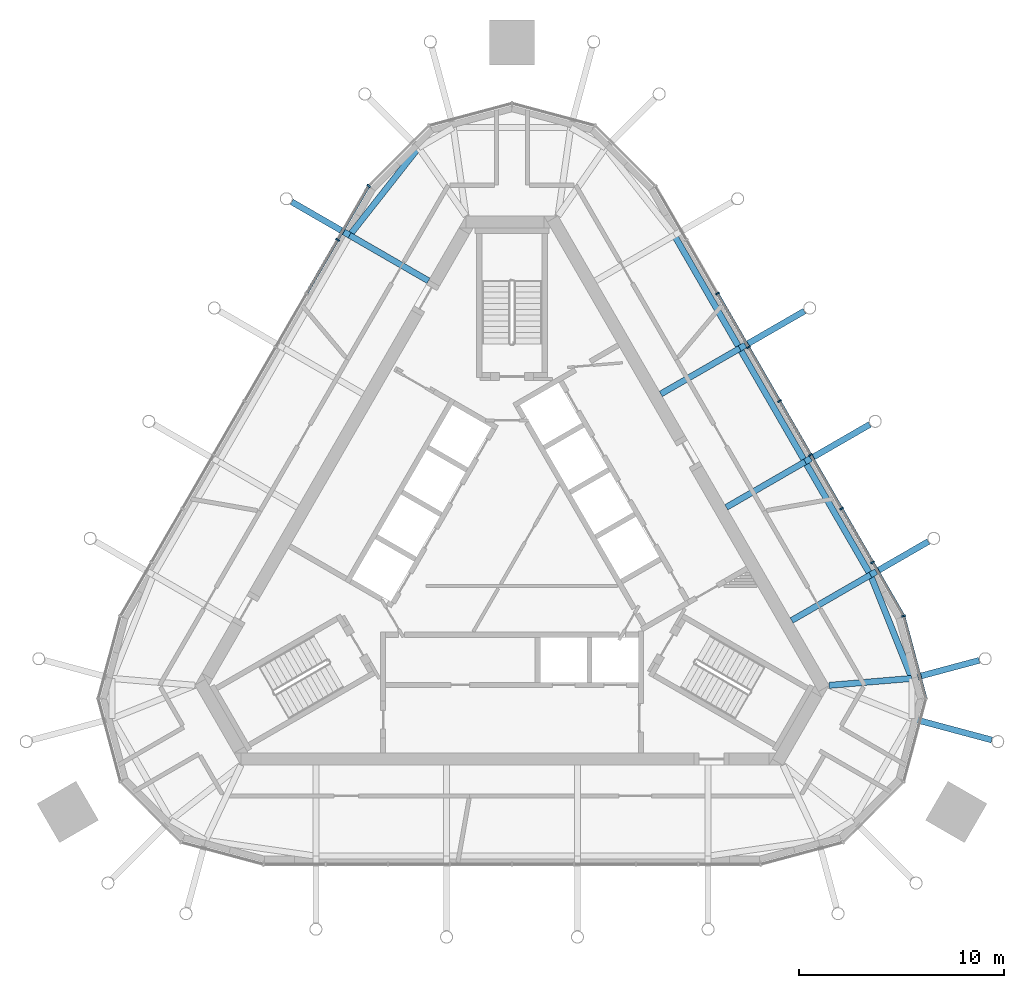
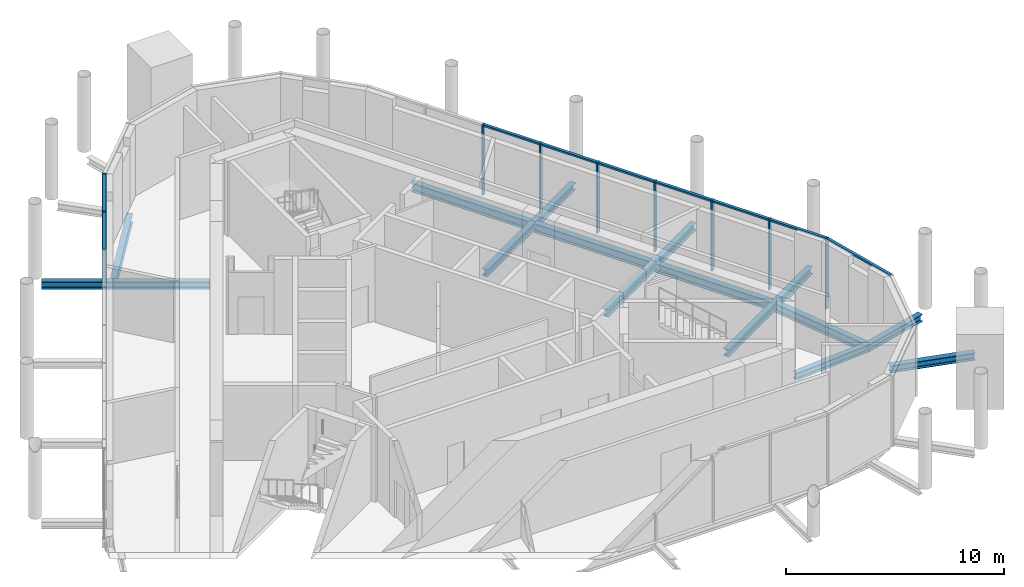
# One storey, part 4 of 11: 18 members, 16 beams, 4 elements without a shape of their own.
"""IFC4 building model written with IfcOpenShell, lengths in metres."""

from ifc_helpers import new_model, si_unit, direction, frame, origin, origin_2d, place, context, subcontext, project, spatial, rectangle, i_section, extrude, material, material_profile, profile_set, type_object, element, aggregate, save


model = new_model("IFC4")

# Units and contexts
model_context = context("Model", 3, precision=1e-05, world=origin(), true_north=direction((0.0, 1.0)))
body_context = subcontext(model_context, "Body", "Model", "MODEL_VIEW")
ifc_project = project(units=[si_unit("LENGTHUNIT", "METRE"), si_unit("AREAUNIT", "SQUARE_METRE"), si_unit("VOLUMEUNIT", "CUBIC_METRE"), si_unit("PLANEANGLEUNIT", "RADIAN"), si_unit("MASSUNIT", "GRAM", prefix="KILO")], contexts=[model_context])

# Site, building, storey
site_placement = place(None, origin())
site = spatial("IfcSite", under=ifc_project, at=site_placement, CompositionType="ELEMENT")
building_placement = place(site_placement, origin())
building = spatial("IfcBuilding", under=site, at=building_placement, Name="Mestral Congress Tower", CompositionType="ELEMENT")
storey_placement = place(building_placement, frame((0.0, 0.0, 331.800048828125)))
storey = spatial("IfcBuildingStorey", under=building, at=storey_placement, Name="L77", CompositionType="ELEMENT", Elevation=331.800048828125)

# Curtain wall, member
ifc_material_1 = material(Name="Glazed ceramic", Category="masonry")
curtain_wall_type = type_object("IfcCurtainWallType", Name="Facade plant louvre screen", PredefinedType="USERDEFINED", material=ifc_material_1)
placement = place(storey_placement, origin())
curtain_wall_1 = element("IfcCurtainWall", 1, at=placement, inside=storey, type_object=curtain_wall_type, Name="Plant louvre screen corner 1", ObjectType="CURTAIN WALL", PredefinedType="USERDEFINED")
ifc_material_2 = material(Name="Anodised aluminium", Category="aluminium")
ifc_material_profile_1 = material_profile(ifc_material_2, rectangle(XDim=0.199951171875, YDim=0.080078125, at=origin_2d()), Name="CW6 mullion 200 x 80")
ifc_profile_set_1 = profile_set([ifc_material_profile_1], Name="Anodised aluminium")
member_type_1 = type_object("IfcMemberType", Name="Facade plant louvre screen mullion", PredefinedType="MULLION", material=ifc_profile_set_1)
member_1_placement = place(storey_placement, frame((19.145751953125, -2.96142578125, 0.0), z_axis=(0.0, 0.0, 1.0), x_axis=(0.965925826289, 0.258819045103, 0.0)))
member_1 = element("IfcMember", 2, at=member_1_placement, type_object=member_type_1, Name="Facade plant louvre screen mullion", PredefinedType="MULLION", context=body_context, shape_type="SweptSolid", body=[
    extrude(rectangle(XDim=0.199951171875, YDim=0.080078125, at=origin_2d()), origin(), (0.0, 0.0, 1.0), 3.949951171875),
])

# Curtain wall, members
curtain_wall_2 = element("IfcCurtainWall", 3, at=placement, inside=storey, type_object=curtain_wall_type, Name="Plant louvre screen side 2", ObjectType="CURTAIN WALL", PredefinedType="USERDEFINED")
member_2_placement = place(storey_placement, frame((17.628662109375, -0.33349609375, 0.0), z_axis=(0.0, 0.0, 1.0), x_axis=(0.866024531118, 0.500001511499, 0.0)))
member_2 = element("IfcMember", 4, at=member_2_placement, type_object=member_type_1, Name="Facade plant louvre screen mullion", PredefinedType="MULLION", context=body_context, shape_type="SweptSolid", body=[
    extrude(rectangle(XDim=0.199951171875, YDim=0.080078125, at=origin_2d()), origin(), (0.0, 0.0, 1.0), 3.949951171875),
])
member_3_placement = place(storey_placement, frame((16.111328125, 2.294189453125, 0.0), z_axis=(0.0, 0.0, 1.0), x_axis=(0.866024531118, 0.500001511499, 0.0)))
member_3 = element("IfcMember", 5, at=member_3_placement, type_object=member_type_1, Name="Facade plant louvre screen mullion", PredefinedType="MULLION", context=body_context, shape_type="SweptSolid", body=[
    extrude(rectangle(XDim=0.199951171875, YDim=0.080078125, at=origin_2d()), origin(), (0.0, 0.0, 1.0), 3.949951171875),
])
member_4_placement = place(storey_placement, frame((14.59423828125, 4.922119140625, 0.0), z_axis=(0.0, 0.0, 1.0), x_axis=(0.866024531118, 0.500001511499, 0.0)))
member_4 = element("IfcMember", 6, at=member_4_placement, type_object=member_type_1, Name="Facade plant louvre screen mullion", PredefinedType="MULLION", context=body_context, shape_type="SweptSolid", body=[
    extrude(rectangle(XDim=0.199951171875, YDim=0.080078125, at=origin_2d()), origin(), (0.0, 0.0, 1.0), 3.949951171875),
])
member_5_placement = place(storey_placement, frame((13.076904296875, 7.550048828125, 0.0), z_axis=(0.0, 0.0, 1.0), x_axis=(0.866024531118, 0.500001511499, 0.0)))
member_5 = element("IfcMember", 7, at=member_5_placement, type_object=member_type_1, Name="Facade plant louvre screen mullion", PredefinedType="MULLION", context=body_context, shape_type="SweptSolid", body=[
    extrude(rectangle(XDim=0.199951171875, YDim=0.080078125, at=origin_2d()), origin(), (0.0, 0.0, 1.0), 3.949951171875),
])
member_6_placement = place(storey_placement, frame((11.559814453125, 10.177978515625, 0.0), z_axis=(0.0, 0.0, 1.0), x_axis=(0.866024531118, 0.500001511499, 0.0)))
member_6 = element("IfcMember", 8, at=member_6_placement, type_object=member_type_1, Name="Facade plant louvre screen mullion", PredefinedType="MULLION", context=body_context, shape_type="SweptSolid", body=[
    extrude(rectangle(XDim=0.199951171875, YDim=0.080078125, at=origin_2d()), origin(), (0.0, 0.0, 1.0), 3.949951171875),
])
member_7_placement = place(storey_placement, frame((10.04248046875, 12.8056640625, 0.0), z_axis=(0.0, 0.0, 1.0), x_axis=(0.866024531118, 0.500001511499, 0.0)))
member_7 = element("IfcMember", 9, at=member_7_placement, type_object=member_type_1, Name="Facade plant louvre screen mullion", PredefinedType="MULLION", context=body_context, shape_type="SweptSolid", body=[
    extrude(rectangle(XDim=0.199951171875, YDim=0.080078125, at=origin_2d()), origin(), (0.0, 0.0, 1.0), 3.949951171875),
])

# Curtain wall, member
curtain_wall_3 = element("IfcCurtainWall", 10, at=placement, inside=storey, type_object=curtain_wall_type, Name="Plant louvre screen corner 3", ObjectType="CURTAIN WALL", PredefinedType="USERDEFINED")
member_8_placement = place(storey_placement, frame((-7.00830078125, 18.061279296875, 0.0), z_axis=(0.0, 0.0, 1.0), x_axis=(-0.707106781187, 0.707106781187, 0.0)))
member_8 = element("IfcMember", 11, at=member_8_placement, type_object=member_type_1, Name="Facade plant louvre screen mullion", PredefinedType="MULLION", context=body_context, shape_type="SweptSolid", body=[
    extrude(rectangle(XDim=0.199951171875, YDim=0.080078125, at=origin_2d()), origin(), (0.0, 0.0, 1.0), 3.949951171875),
])
aggregate(curtain_wall_3, [member_8])

curtain_wall_4 = element("IfcCurtainWall", 12, at=placement, inside=storey, type_object=curtain_wall_type, Name="Plant louvre screen side 4", ObjectType="CURTAIN WALL", PredefinedType="USERDEFINED")
member_9_placement = place(storey_placement, frame((-8.525390625, 15.43359375, 0.0), z_axis=(0.0, 0.0, 1.0), x_axis=(-0.866024531118, 0.500001511499, 0.0)))
member_9 = element("IfcMember", 13, at=member_9_placement, type_object=member_type_1, Name="Facade plant louvre screen mullion", PredefinedType="MULLION", context=body_context, shape_type="SweptSolid", body=[
    extrude(rectangle(XDim=0.199951171875, YDim=0.080078125, at=origin_2d()), origin(), (0.0, 0.0, 1.0), 3.949951171875),
])

# Member
ifc_material_profile_2 = material_profile(ifc_material_2, rectangle(XDim=0.14990234375, YDim=0.10009765625, at=origin_2d()), Name="CW6 transom 150 x 100")
ifc_profile_set_2 = profile_set([ifc_material_profile_2], Name="Anodised aluminium")
member_type_2 = type_object("IfcMemberType", Name="Facade plant louvre screen transom", PredefinedType="USERDEFINED", material=ifc_profile_set_2)
member_10_placement = place(storey_placement, frame((20.217529296875, -6.96142578125, 3.89990234375), z_axis=(-0.258833286133, 0.965922010304, 0.0), x_axis=(-0.965922010304, -0.258833286133, 0.0)))
member_10 = element("IfcMember", 14, at=member_10_placement, type_object=member_type_2, Name="Facade plant louvre screen transom", ObjectType="TRANSOM", PredefinedType="USERDEFINED", context=body_context, shape_type="SweptSolid", body=[
    extrude(rectangle(XDim=0.14990234375, YDim=0.10009765625, at=origin_2d()), origin(), (0.0, 0.0, 1.0), 4.10107421875),
])

aggregate(curtain_wall_1, [member_1, member_10])

member_11_placement = place(storey_placement, frame((19.125732421875, -2.9267578125, 3.89990234375), z_axis=(-0.499960902066, 0.86604797581, 0.0), x_axis=(-0.86604797581, -0.499960902066, 0.0)))
member_11 = element("IfcMember", 15, at=member_11_placement, type_object=member_type_2, Name="Facade plant louvre screen transom", ObjectType="TRANSOM", PredefinedType="USERDEFINED", context=body_context, shape_type="SweptSolid", body=[
    extrude(rectangle(XDim=0.14990234375, YDim=0.10009765625, at=origin_2d()), origin(), (0.0, 0.0, 1.0), 2.954345703125),
])

member_12_placement = place(storey_placement, frame((17.608642578125, -0.298828125, 3.89990234375), z_axis=(-0.50002288008, 0.866012193561, 0.0), x_axis=(-0.866012193561, -0.50002288008, 0.0)))
member_12 = element("IfcMember", 16, at=member_12_placement, type_object=member_type_2, Name="Facade plant louvre screen transom", ObjectType="TRANSOM", PredefinedType="USERDEFINED", context=body_context, shape_type="SweptSolid", body=[
    extrude(rectangle(XDim=0.14990234375, YDim=0.10009765625, at=origin_2d()), origin(), (0.0, 0.0, 1.0), 2.954345703125),
])

member_13_placement = place(storey_placement, frame((16.09130859375, 2.328857421875, 3.89990234375), z_axis=(-0.499960902066, 0.86604797581, 0.0), x_axis=(-0.86604797581, -0.499960902066, 0.0)))
member_13 = element("IfcMember", 17, at=member_13_placement, type_object=member_type_2, Name="Facade plant louvre screen transom", ObjectType="TRANSOM", PredefinedType="USERDEFINED", context=body_context, shape_type="SweptSolid", body=[
    extrude(rectangle(XDim=0.14990234375, YDim=0.10009765625, at=origin_2d()), origin(), (0.0, 0.0, 1.0), 2.954345703125),
])

member_14_placement = place(storey_placement, frame((14.57421875, 4.956787109375, 3.89990234375), z_axis=(-0.50002288008, 0.866012193561, 0.0), x_axis=(-0.866012193561, -0.50002288008, 0.0)))
member_14 = element("IfcMember", 18, at=member_14_placement, type_object=member_type_2, Name="Facade plant louvre screen transom", ObjectType="TRANSOM", PredefinedType="USERDEFINED", context=body_context, shape_type="SweptSolid", body=[
    extrude(rectangle(XDim=0.14990234375, YDim=0.10009765625, at=origin_2d()), origin(), (0.0, 0.0, 1.0), 2.954345703125),
])

member_15_placement = place(storey_placement, frame((13.056884765625, 7.584716796875, 3.89990234375), z_axis=(-0.499960902066, 0.86604797581, 0.0), x_axis=(-0.86604797581, -0.499960902066, 0.0)))
member_15 = element("IfcMember", 19, at=member_15_placement, type_object=member_type_2, Name="Facade plant louvre screen transom", ObjectType="TRANSOM", PredefinedType="USERDEFINED", context=body_context, shape_type="SweptSolid", body=[
    extrude(rectangle(XDim=0.14990234375, YDim=0.10009765625, at=origin_2d()), origin(), (0.0, 0.0, 1.0), 2.954345703125),
])

member_16_placement = place(storey_placement, frame((11.539794921875, 10.21240234375, 3.89990234375), z_axis=(-0.50002288008, 0.866012193561, 0.0), x_axis=(-0.866012193561, -0.50002288008, 0.0)))
member_16 = element("IfcMember", 20, at=member_16_placement, type_object=member_type_2, Name="Facade plant louvre screen transom", ObjectType="TRANSOM", PredefinedType="USERDEFINED", context=body_context, shape_type="SweptSolid", body=[
    extrude(rectangle(XDim=0.14990234375, YDim=0.10009765625, at=origin_2d()), origin(), (0.0, 0.0, 1.0), 2.954345703125),
])

aggregate(curtain_wall_2, [member_2, member_3, member_4, member_5, member_6, member_7, member_11, member_12, member_13, member_14, member_15, member_16])

member_17_placement = place(storey_placement, frame((-7.0283203125, 18.02685546875, 3.89990234375), z_axis=(-0.499960902066, -0.86604797581, 0.0), x_axis=(0.86604797581, -0.499960902066, 0.0)))
member_17 = element("IfcMember", 21, at=member_17_placement, type_object=member_type_2, Name="Facade plant louvre screen transom", ObjectType="TRANSOM", PredefinedType="USERDEFINED", context=body_context, shape_type="SweptSolid", body=[
    extrude(rectangle(XDim=0.14990234375, YDim=0.10009765625, at=origin_2d()), origin(), (0.0, 0.0, 1.0), 2.954345703125),
])

member_18_placement = place(storey_placement, frame((-8.54541015625, 15.39892578125, 3.89990234375), z_axis=(-0.50002288008, -0.866012193561, 0.0), x_axis=(0.866012193561, -0.50002288008, 0.0)))
member_18 = element("IfcMember", 22, at=member_18_placement, type_object=member_type_2, Name="Facade plant louvre screen transom", ObjectType="TRANSOM", PredefinedType="USERDEFINED", context=body_context, shape_type="SweptSolid", body=[
    extrude(rectangle(XDim=0.14990234375, YDim=0.10009765625, at=origin_2d()), origin(), (0.0, 0.0, 1.0), 2.954345703125),
])

aggregate(curtain_wall_4, [member_9, member_17, member_18])

# Beams
ifc_material_3 = material(Name="Steel S355", Category="steel")
ifc_material_profile_3 = material_profile(ifc_material_3, i_section(OverallWidth=0.300048828125, OverallDepth=0.39990234375, WebThickness=0.013427734375, FlangeThickness=0.02392578125, FilletRadius=0.027099609375, at=origin_2d()), Name="HEB 400")
ifc_profile_set_3 = profile_set([ifc_material_profile_3], Name="Steel S355")
beam_type_1 = type_object("IfcBeamType", Name="Floor beam HEB 400 S355", PredefinedType="BEAM", material=ifc_profile_set_3)
for number, where, z_axis, x_axis, name in (
    (23, (-4.083251953125, 13.427734375, -0.449951171875), (-0.866036664382, 0.499980495566, 0.0), (-0.499980495566, -0.866036664382, 0.0), "BM-L77-KR11"),
    (24, (7.277099609375, 7.89599609375, -0.449951171875), (0.866036664382, 0.499980495566, 0.0), (-0.499980495566, 0.866036664382, 0.0), "BM-L77-KR17"),
    (25, (10.4765625, 2.35400390625, -0.449951171875), (0.866012907634, 0.500021643343, 0.0), (-0.500021643343, 0.866012907634, 0.0), "BM-L77-KR18"),
    (26, (13.67041015625, -3.177734375, -0.449951171875), (0.866012907634, 0.500021643343, 0.0), (-0.500021643343, 0.866012907634, 0.0), "BM-L77-KR19"),
):
    element("IfcBeam", number, at=place(storey_placement, frame(where, z_axis=z_axis, x_axis=x_axis)), inside=storey, type_object=beam_type_1, Name=name, PredefinedType="BEAM", context=body_context, shape_type="SweptSolid", body=[
        extrude(i_section(OverallWidth=0.300048828125, OverallDepth=0.39990234375, WebThickness=0.013427734375, FlangeThickness=0.02392578125, FilletRadius=0.027099609375, at=origin_2d()), origin(), (0.0, 0.0, 1.0), 4.449951171875),
    ])
beam_1_placement = place(storey_placement, frame((15.501953125, -6.35009765625, -0.449951171875), z_axis=(0.996497077205, 0.083627597852, 0.0), x_axis=(-0.083627597852, 0.996497077205, 0.0)))
element("IfcBeam", 27, at=beam_1_placement, inside=storey, type_object=beam_type_1, Name="BM-L77-KR20", PredefinedType="BEAM", context=body_context, shape_type="SweptSolid", body=[
    extrude(i_section(OverallWidth=0.300048828125, OverallDepth=0.39990234375, WebThickness=0.013427734375, FlangeThickness=0.02392578125, FilletRadius=0.027099609375, at=origin_2d()), origin(), (0.0, 0.0, 1.0), 4.060791015625),
])
beam_2_placement = place(storey_placement, frame((-10.767822265625, 17.287109375, -0.449951171875), z_axis=(0.866005234444, -0.500034932695, 0.0), x_axis=(0.500034932695, 0.866005234444, 0.0)))
element("IfcBeam", 28, at=beam_2_placement, inside=storey, type_object=beam_type_1, Name="BM-L77-KT-C5-W01", PredefinedType="BEAM", context=body_context, shape_type="SweptSolid", body=[
    extrude(i_section(OverallWidth=0.300048828125, OverallDepth=0.39990234375, WebThickness=0.013427734375, FlangeThickness=0.02392578125, FilletRadius=0.027099609375, at=origin_2d()), origin(), (0.0, 0.0, 1.0), 3.268798828125),
])
beam_3_placement = place(storey_placement, frame((14.2919921875, 11.946044921875, -0.449951171875), z_axis=(-0.866011828767, -0.500023511883, 0.0), x_axis=(0.500023511883, -0.866011828767, 0.0)))
element("IfcBeam", 29, at=beam_3_placement, inside=storey, type_object=beam_type_1, Name="BM-L77-KT-C5-E03", PredefinedType="BEAM", context=body_context, shape_type="SweptSolid", body=[
    extrude(i_section(OverallWidth=0.300048828125, OverallDepth=0.39990234375, WebThickness=0.013427734375, FlangeThickness=0.02392578125, FilletRadius=0.027099609375, at=origin_2d()), origin(), (0.0, 0.0, 1.0), 3.650146484375),
])
beam_4_placement = place(storey_placement, frame((17.49169921875, 6.404296875, -0.449951171875), z_axis=(-0.866028549844, -0.499994550825, 0.0), x_axis=(0.499994550825, -0.866028549844, 0.0)))
element("IfcBeam", 30, at=beam_4_placement, inside=storey, type_object=beam_type_1, Name="BM-L77-KT-C5-E02", PredefinedType="BEAM", context=body_context, shape_type="SweptSolid", body=[
    extrude(i_section(OverallWidth=0.300048828125, OverallDepth=0.39990234375, WebThickness=0.013427734375, FlangeThickness=0.02392578125, FilletRadius=0.027099609375, at=origin_2d()), origin(), (0.0, 0.0, 1.0), 3.650390625),
])
beam_5_placement = place(storey_placement, frame((20.35498046875, 0.681640625, -0.449951171875), z_axis=(-0.86603757612, -0.499978916304, 0.0), x_axis=(0.499978916304, -0.86603757612, 0.0)))
element("IfcBeam", 31, at=beam_5_placement, inside=storey, type_object=beam_type_1, Name="BM-L77-KT-C5-E01", PredefinedType="BEAM", context=body_context, shape_type="SweptSolid", body=[
    extrude(i_section(OverallWidth=0.300048828125, OverallDepth=0.39990234375, WebThickness=0.013427734375, FlangeThickness=0.02392578125, FilletRadius=0.027099609375, at=origin_2d()), origin(), (0.0, 0.0, 1.0), 3.268798828125),
])
beam_6_placement = place(storey_placement, frame((22.841552734375, -5.1279296875, -0.449951171875), z_axis=(-0.965909688455, -0.258879264811, 0.0), x_axis=(0.258879264811, -0.965909688455, 0.0)))
element("IfcBeam", 32, at=beam_6_placement, inside=storey, type_object=beam_type_1, Name="BM-L77-KT-C5-E00", PredefinedType="BEAM", context=body_context, shape_type="SweptSolid", body=[
    extrude(i_section(OverallWidth=0.300048828125, OverallDepth=0.39990234375, WebThickness=0.013427734375, FlangeThickness=0.02392578125, FilletRadius=0.027099609375, at=origin_2d()), origin(), (0.0, 0.0, 1.0), 3.4091796875),
])
beam_7_placement = place(storey_placement, frame((23.453369140625, -9.0205078125, -0.449951171875), z_axis=(-0.965930242246, 0.258802563966, 0.0), x_axis=(-0.258802563966, -0.965930242246, 0.0)))
element("IfcBeam", 33, at=beam_7_placement, inside=storey, type_object=beam_type_1, Name="BM-L77-KT-C5-SE3", PredefinedType="BEAM", context=body_context, shape_type="SweptSolid", body=[
    extrude(i_section(OverallWidth=0.300048828125, OverallDepth=0.39990234375, WebThickness=0.013427734375, FlangeThickness=0.02392578125, FilletRadius=0.027099609375, at=origin_2d()), origin(), (0.0, 0.0, 1.0), 4.03857421875),
])
ifc_material_profile_4 = material_profile(ifc_material_3, i_section(OverallWidth=0.300048828125, OverallDepth=0.5, WebThickness=0.014404296875, FlangeThickness=0.028076171875, FilletRadius=0.027099609375, at=origin_2d()), Name="HEB 500")
ifc_profile_set_4 = profile_set([ifc_material_profile_4], Name="Steel S355")
beam_type_2 = type_object("IfcBeamType", Name="Floor beam HEB 500 S355", PredefinedType="BEAM", material=ifc_profile_set_4)
beam_8_placement = place(storey_placement, frame((-7.93701171875, 15.652587890625, -0.5), z_axis=(0.618197515987, 0.786022793071, 0.0), x_axis=(-0.786022793071, 0.618197515987, 0.0)))
element("IfcBeam", 34, at=beam_8_placement, inside=storey, type_object=beam_type_2, Name="BM-L77-KG11", PredefinedType="BEAM", context=body_context, shape_type="SweptSolid", body=[
    extrude(i_section(OverallWidth=0.300048828125, OverallDepth=0.5, WebThickness=0.014404296875, FlangeThickness=0.028076171875, FilletRadius=0.027099609375, at=origin_2d()), origin(), (0.0, 0.0, 1.0), 5.447998046875),
])
beam_9_placement = place(storey_placement, frame((7.93701171875, 15.652587890625, -0.5), z_axis=(0.500011397576, -0.866018823291, 0.0), x_axis=(0.866018823291, 0.500011397576, 0.0)))
element("IfcBeam", 35, at=beam_9_placement, inside=storey, type_object=beam_type_2, Name="BM-L77-KG16", PredefinedType="BEAM", context=body_context, shape_type="SweptSolid", body=[
    extrude(i_section(OverallWidth=0.300048828125, OverallDepth=0.5, WebThickness=0.014404296875, FlangeThickness=0.028076171875, FilletRadius=0.027099609375, at=origin_2d()), origin(), (0.0, 0.0, 1.0), 6.387451171875),
])
beam_10_placement = place(storey_placement, frame((11.130859375, 10.120849609375, -0.5), z_axis=(0.499992166441, -0.866029926444, 0.0), x_axis=(0.866029926444, 0.499992166441, 0.0)))
element("IfcBeam", 36, at=beam_10_placement, inside=storey, type_object=beam_type_2, Name="BM-L77-KG17", PredefinedType="BEAM", context=body_context, shape_type="SweptSolid", body=[
    extrude(i_section(OverallWidth=0.300048828125, OverallDepth=0.5, WebThickness=0.014404296875, FlangeThickness=0.028076171875, FilletRadius=0.027099609375, at=origin_2d()), origin(), (0.0, 0.0, 1.0), 6.39892578125),
])
beam_11_placement = place(storey_placement, frame((14.330322265625, 4.5791015625, -0.5), z_axis=(0.500011397576, -0.866018823291, 0.0), x_axis=(0.866018823291, 0.500011397576, 0.0)))
element("IfcBeam", 37, at=beam_11_placement, inside=storey, type_object=beam_type_2, Name="BM-L77-KG18", PredefinedType="BEAM", context=body_context, shape_type="SweptSolid", body=[
    extrude(i_section(OverallWidth=0.300048828125, OverallDepth=0.5, WebThickness=0.014404296875, FlangeThickness=0.028076171875, FilletRadius=0.027099609375, at=origin_2d()), origin(), (0.0, 0.0, 1.0), 6.387451171875),
])
beam_12_placement = place(storey_placement, frame((17.524169921875, -0.95263671875, -0.5), z_axis=(0.37159155469, -0.928396314341, 0.0), x_axis=(0.928396314341, 0.37159155469, 0.0)))
element("IfcBeam", 38, at=beam_12_placement, inside=storey, type_object=beam_type_2, Name="BM-L77-KG19", PredefinedType="BEAM", context=body_context, shape_type="SweptSolid", body=[
    extrude(i_section(OverallWidth=0.300048828125, OverallDepth=0.5, WebThickness=0.014404296875, FlangeThickness=0.028076171875, FilletRadius=0.027099609375, at=origin_2d()), origin(), (0.0, 0.0, 1.0), 5.447998046875),
])

save(model, "model.ifc")
